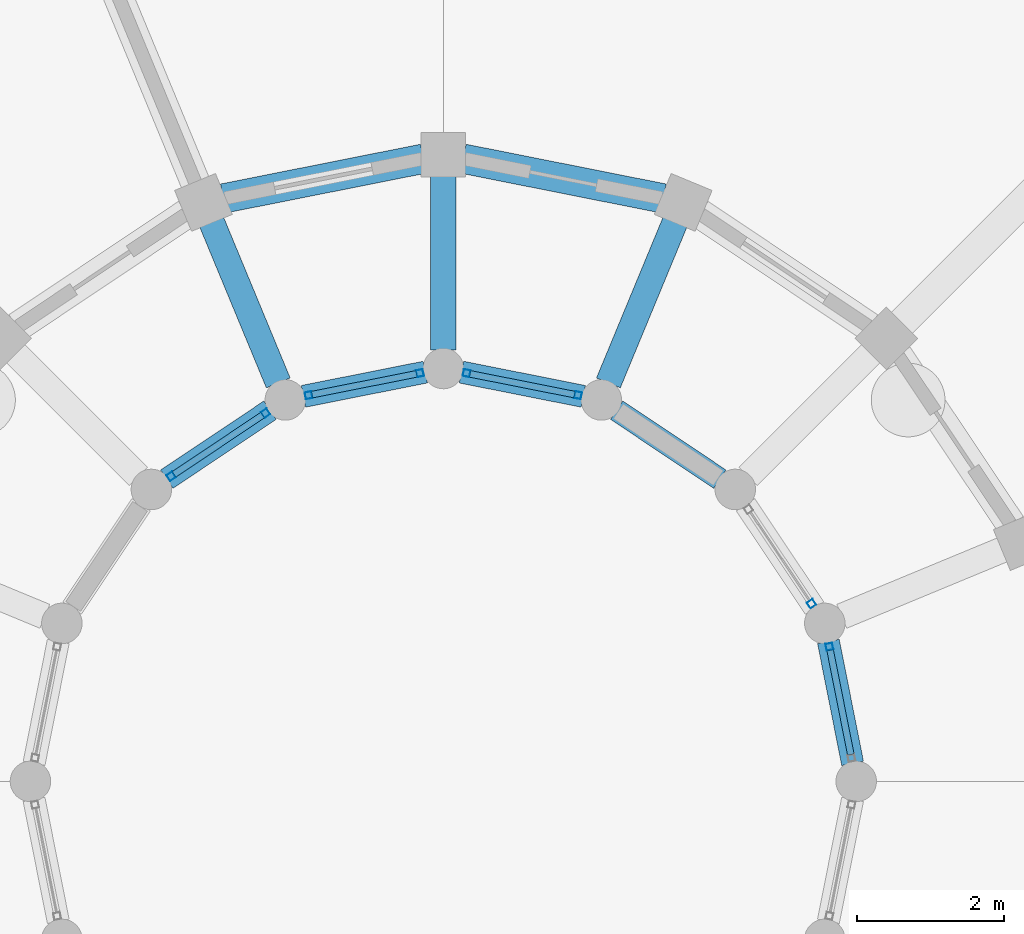
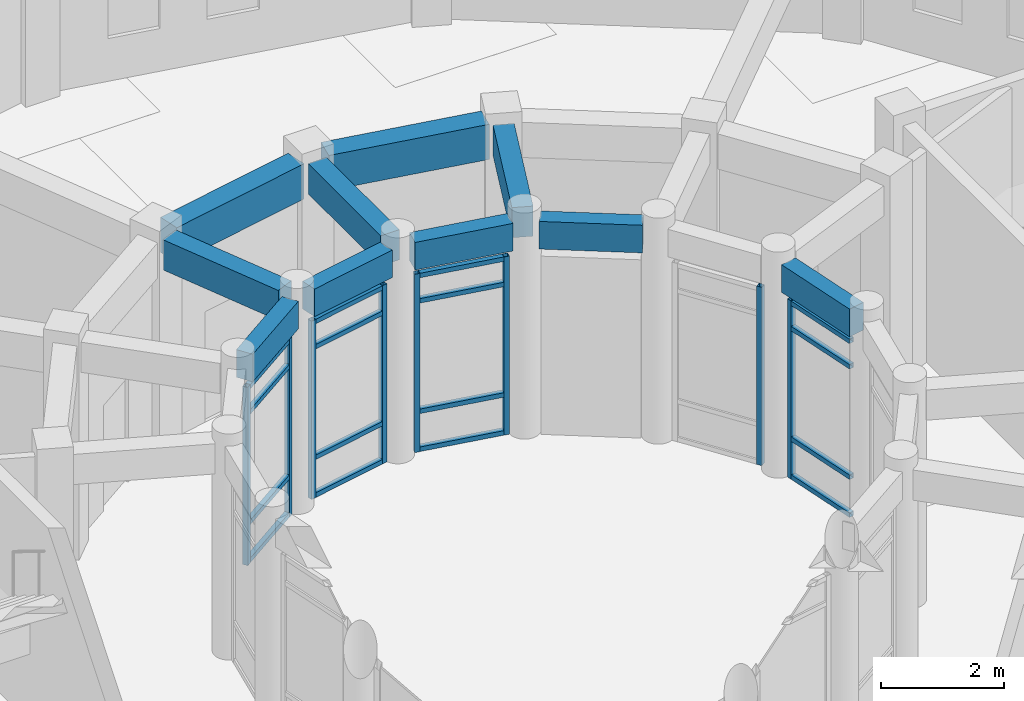
# One storey, part 74 of 153: 24 members, 10 beams, 5 elements without a shape of their own.
"""IFC4 building model written with IfcOpenShell, lengths in metres."""

from ifc_helpers import new_model, si_unit, direction, frame, origin, origin_2d, place, context, subcontext, project, spatial, rectangle, hollow_rectangle, extrude, material, material_profile, profile_set, type_object, element, aggregate, save


model = new_model("IFC4")

# Units and contexts
model_context = context("Model", 3, precision=1e-05, world=origin(), true_north=direction((0.0, 1.0)))
body_context = subcontext(model_context, "Body", "Model", "MODEL_VIEW")
ifc_project = project(units=[si_unit("LENGTHUNIT", "METRE"), si_unit("AREAUNIT", "SQUARE_METRE"), si_unit("VOLUMEUNIT", "CUBIC_METRE"), si_unit("PLANEANGLEUNIT", "RADIAN"), si_unit("MASSUNIT", "GRAM", prefix="KILO")], contexts=[model_context])

# Site, building, storey
site_placement = place(None, origin())
site = spatial("IfcSite", under=ifc_project, at=site_placement, CompositionType="ELEMENT")
building_placement = place(site_placement, origin())
building = spatial("IfcBuilding", under=site, at=building_placement, Name="Celadon Cloister-Ring School", CompositionType="ELEMENT")
storey_placement = place(building_placement, origin())
storey = spatial("IfcBuildingStorey", under=building, at=storey_placement, Name="L00", CompositionType="ELEMENT", Elevation=0.0)

# Beams
ifc_material_1 = material(Name="Concrete C35/45", Category="concrete")
ifc_material_profile_1 = material_profile(ifc_material_1, rectangle(XDim=0.35009765625, YDim=0.60009765625, at=origin_2d()), Name="RC350X600")
ifc_profile_set_1 = profile_set([ifc_material_profile_1], Name="Concrete C35/45")
beam_type_1 = type_object("IfcBeamType", Name="BT-02", PredefinedType="BEAM", material=ifc_profile_set_1)
for number, where, z_axis, x_axis, name in (
    (1, (23.347900390625, 104.59912109375, 3.9599609375), (-0.382724033014, -0.923862714127, 0.0), (0.923862714127, -0.382724033014, 0.0), "Beam 0594"),
    (2, (20.199951171875, 105.22509765625, 3.9599609375), (0.0, -1.0, 0.0), (1.0, 0.0, 0.0), "Beam 0595"),
    (3, (17.052001953125, 104.59912109375, 3.9599609375), (0.382724033014, -0.923862714127, 0.0), (0.923862714127, 0.382724033014, 0.0), "Beam 0597"),
):
    element("IfcBeam", number, at=place(storey_placement, frame(where, z_axis=z_axis, x_axis=x_axis)), inside=storey, type_object=beam_type_1, Name=name, PredefinedType="BEAM", context=body_context, shape_type="SweptSolid", body=[
        extrude(rectangle(XDim=0.35009765625, YDim=0.60009765625, at=origin_2d()), origin(), (0.0, 0.0, 1.0), 2.375),
    ])

# Curtain wall, member
ifc_material_2 = material(Name="Aluminium EN AW-6063 T6", Category="aluminium")
curtain_wall_type = type_object("IfcCurtainWallType", Name="CW-03", PredefinedType="USERDEFINED", material=ifc_material_2)
curtain_wall_1_placement = place(storey_placement, origin())
curtain_wall_1 = element("IfcCurtainWall", 4, at=curtain_wall_1_placement, inside=storey, type_object=curtain_wall_type, Name="Curtain Wall 0079", ObjectType="CURTAIN WALL", PredefinedType="USERDEFINED")
ifc_material_3 = material(Name="Aluminium EN AW-6063 T6", Category="aluminium")
ifc_material_profile_2 = material_profile(ifc_material_3, hollow_rectangle(XDim=0.094970703125, YDim=0.094970703125, WallThickness=0.00390625, at=origin_2d()), Name="RHS95X95X4")
ifc_profile_set_2 = profile_set([ifc_material_profile_2], Name="Aluminium EN AW-6063 T6")
member_type_1 = type_object("IfcMemberType", Name="CM-02", PredefinedType="MULLION", material=ifc_profile_set_2)
member_1_placement = place(storey_placement, frame((25.437255859375, 98.826416015625, 0.0), z_axis=(0.0, 0.0, 1.0), x_axis=(-0.980885435464, -0.194586131301, 0.0)))
member_1 = element("IfcMember", 5, at=member_1_placement, type_object=member_type_1, Name="CW-03 mullion 2", PredefinedType="MULLION", context=body_context, shape_type="SweptSolid", body=[
    extrude(hollow_rectangle(XDim=0.094970703125, YDim=0.094970703125, WallThickness=0.00390625, at=origin_2d()), origin(), (0.0, 0.0, 1.0), 3.550048828125),
])

curtain_wall_2_placement = place(storey_placement, origin())
curtain_wall_2 = element("IfcCurtainWall", 6, at=curtain_wall_2_placement, inside=storey, type_object=curtain_wall_type, Name="Curtain Wall 0080", ObjectType="CURTAIN WALL", PredefinedType="USERDEFINED")
member_2_placement = place(storey_placement, frame((25.194580078125, 99.411376953125, 0.0), z_axis=(0.0, 0.0, 1.0), x_axis=(-0.831485091394, -0.555547066224, 0.0)))
member_2 = element("IfcMember", 7, at=member_2_placement, type_object=member_type_1, Name="CW-03 mullion 1", PredefinedType="MULLION", context=body_context, shape_type="SweptSolid", body=[
    extrude(hollow_rectangle(XDim=0.094970703125, YDim=0.094970703125, WallThickness=0.00390625, at=origin_2d()), origin(), (0.0, 0.0, 1.0), 3.550048828125),
])
aggregate(curtain_wall_2, [member_2])

# Curtain wall, members
curtain_wall_3_placement = place(storey_placement, origin())
curtain_wall_3 = element("IfcCurtainWall", 8, at=curtain_wall_3_placement, inside=storey, type_object=curtain_wall_type, Name="Curtain Wall 0081", ObjectType="CURTAIN WALL", PredefinedType="USERDEFINED")
member_3_placement = place(storey_placement, frame((22.0263671875, 102.2373046875, 0.0), z_axis=(0.0, 0.0, 1.0), x_axis=(-0.194586131301, -0.980885435464, 0.0)))
member_3 = element("IfcMember", 9, at=member_3_placement, type_object=member_type_1, Name="CW-03 mullion 1", PredefinedType="MULLION", context=body_context, shape_type="SweptSolid", body=[
    extrude(hollow_rectangle(XDim=0.094970703125, YDim=0.094970703125, WallThickness=0.00390625, at=origin_2d()), origin(), (0.0, 0.0, 1.0), 3.550048828125),
])
member_4_placement = place(storey_placement, frame((20.5166015625, 102.536865234375, 0.0), z_axis=(0.0, 0.0, 1.0), x_axis=(-0.194586131301, -0.980885435464, 0.0)))
member_4 = element("IfcMember", 10, at=member_4_placement, type_object=member_type_1, Name="CW-03 mullion 2", PredefinedType="MULLION", context=body_context, shape_type="SweptSolid", body=[
    extrude(hollow_rectangle(XDim=0.094970703125, YDim=0.094970703125, WallThickness=0.00390625, at=origin_2d()), origin(), (0.0, 0.0, 1.0), 3.550048828125),
])

curtain_wall_4_placement = place(storey_placement, origin())
curtain_wall_4 = element("IfcCurtainWall", 11, at=curtain_wall_4_placement, inside=storey, type_object=curtain_wall_type, Name="Curtain Wall 0082", ObjectType="CURTAIN WALL", PredefinedType="USERDEFINED")
member_5_placement = place(storey_placement, frame((19.88330078125, 102.536865234375, 0.0), z_axis=(0.0, 0.0, 1.0), x_axis=(0.194586131301, -0.980885435464, 0.0)))
member_5 = element("IfcMember", 12, at=member_5_placement, type_object=member_type_1, Name="CW-03 mullion 1", PredefinedType="MULLION", context=body_context, shape_type="SweptSolid", body=[
    extrude(hollow_rectangle(XDim=0.094970703125, YDim=0.094970703125, WallThickness=0.00390625, at=origin_2d()), origin(), (0.0, 0.0, 1.0), 3.550048828125),
])
member_6_placement = place(storey_placement, frame((18.37353515625, 102.2373046875, 0.0), z_axis=(0.0, 0.0, 1.0), x_axis=(0.194586131301, -0.980885435464, 0.0)))
member_6 = element("IfcMember", 13, at=member_6_placement, type_object=member_type_1, Name="CW-03 mullion 2", PredefinedType="MULLION", context=body_context, shape_type="SweptSolid", body=[
    extrude(hollow_rectangle(XDim=0.094970703125, YDim=0.094970703125, WallThickness=0.00390625, at=origin_2d()), origin(), (0.0, 0.0, 1.0), 3.550048828125),
])

curtain_wall_5_placement = place(storey_placement, origin())
curtain_wall_5 = element("IfcCurtainWall", 14, at=curtain_wall_5_placement, inside=storey, type_object=curtain_wall_type, Name="Curtain Wall 0083", ObjectType="CURTAIN WALL", PredefinedType="USERDEFINED")
member_7_placement = place(storey_placement, frame((17.78857421875, 101.99462890625, 0.0), z_axis=(0.0, 0.0, 1.0), x_axis=(0.555547066224, -0.831485091394, 0.0)))
member_7 = element("IfcMember", 15, at=member_7_placement, type_object=member_type_1, Name="CW-03 mullion 1", PredefinedType="MULLION", context=body_context, shape_type="SweptSolid", body=[
    extrude(hollow_rectangle(XDim=0.094970703125, YDim=0.094970703125, WallThickness=0.00390625, at=origin_2d()), origin(), (0.0, 0.0, 1.0), 3.550048828125),
])
member_8_placement = place(storey_placement, frame((16.508544921875, 101.139404296875, 0.0), z_axis=(0.0, 0.0, 1.0), x_axis=(0.555547066224, -0.831485091394, 0.0)))
member_8 = element("IfcMember", 16, at=member_8_placement, type_object=member_type_1, Name="CW-03 mullion 2", PredefinedType="MULLION", context=body_context, shape_type="SweptSolid", body=[
    extrude(hollow_rectangle(XDim=0.094970703125, YDim=0.094970703125, WallThickness=0.00390625, at=origin_2d()), origin(), (0.0, 0.0, 1.0), 3.550048828125),
])

# Member
ifc_material_4 = material(Name="Aluminium EN AW-6063 T6", Category="aluminium")
ifc_material_profile_3 = material_profile(ifc_material_4, hollow_rectangle(XDim=0.090087890625, YDim=0.090087890625, WallThickness=0.00390625, at=origin_2d()), Name="RHS90X90X4")
ifc_profile_set_3 = profile_set([ifc_material_profile_3], Name="Aluminium EN AW-6063 T6")
member_type_2 = type_object("IfcMemberType", Name="CTM-02", PredefinedType="USERDEFINED", material=ifc_profile_set_3)
member_9_placement = place(storey_placement, frame((25.7275390625, 97.36328125, 0.044921875), z_axis=(-0.194587856315, 0.980885093257, 0.0), x_axis=(-0.980885093257, -0.194587856315, 0.0)))
member_9 = element("IfcMember", 17, at=member_9_placement, type_object=member_type_2, Name="CW-03 transom 1.1", ObjectType="TRANSOM", PredefinedType="USERDEFINED", context=body_context, shape_type="SweptSolid", body=[
    extrude(hollow_rectangle(XDim=0.090087890625, YDim=0.090087890625, WallThickness=0.00390625, at=origin_2d()), origin(), (0.0, 0.0, 1.0), 1.444091796875),
])

member_10_placement = place(storey_placement, frame((25.7275390625, 97.36328125, 0.800048828125), z_axis=(-0.194587856315, 0.980885093257, 0.0), x_axis=(-0.980885093257, -0.194587856315, 0.0)))
member_10 = element("IfcMember", 18, at=member_10_placement, type_object=member_type_2, Name="CW-03 transom 1.2", ObjectType="TRANSOM", PredefinedType="USERDEFINED", context=body_context, shape_type="SweptSolid", body=[
    extrude(hollow_rectangle(XDim=0.090087890625, YDim=0.090087890625, WallThickness=0.00390625, at=origin_2d()), origin(), (0.0, 0.0, 1.0), 1.444091796875),
])

member_11_placement = place(storey_placement, frame((25.7275390625, 97.36328125, 3.0), z_axis=(-0.194587856315, 0.980885093257, 0.0), x_axis=(-0.980885093257, -0.194587856315, 0.0)))
member_11 = element("IfcMember", 19, at=member_11_placement, type_object=member_type_2, Name="CW-03 transom 1.3", ObjectType="TRANSOM", PredefinedType="USERDEFINED", context=body_context, shape_type="SweptSolid", body=[
    extrude(hollow_rectangle(XDim=0.090087890625, YDim=0.090087890625, WallThickness=0.00390625, at=origin_2d()), origin(), (0.0, 0.0, 1.0), 1.444091796875),
])

member_12_placement = place(storey_placement, frame((25.7275390625, 97.36328125, 3.5048828125), z_axis=(-0.194587856315, 0.980885093257, 0.0), x_axis=(-0.980885093257, -0.194587856315, 0.0)))
member_12 = element("IfcMember", 20, at=member_12_placement, type_object=member_type_2, Name="CW-03 transom 1.4", ObjectType="TRANSOM", PredefinedType="USERDEFINED", context=body_context, shape_type="SweptSolid", body=[
    extrude(hollow_rectangle(XDim=0.090087890625, YDim=0.090087890625, WallThickness=0.00390625, at=origin_2d()), origin(), (0.0, 0.0, 1.0), 1.444091796875),
])

aggregate(curtain_wall_1, [member_1, member_9, member_10, member_11, member_12])

member_13_placement = place(storey_placement, frame((21.979736328125, 102.24658203125, 0.044921875), z_axis=(-0.980885093257, 0.194587856315, 0.0), x_axis=(-0.194587856315, -0.980885093257, 0.0)))
member_13 = element("IfcMember", 21, at=member_13_placement, type_object=member_type_2, Name="CW-03 transom 1.1", ObjectType="TRANSOM", PredefinedType="USERDEFINED", context=body_context, shape_type="SweptSolid", body=[
    extrude(hollow_rectangle(XDim=0.090087890625, YDim=0.090087890625, WallThickness=0.00390625, at=origin_2d()), origin(), (0.0, 0.0, 1.0), 1.444091796875),
])

member_14_placement = place(storey_placement, frame((21.979736328125, 102.24658203125, 0.800048828125), z_axis=(-0.980885093257, 0.194587856315, 0.0), x_axis=(-0.194587856315, -0.980885093257, 0.0)))
member_14 = element("IfcMember", 22, at=member_14_placement, type_object=member_type_2, Name="CW-03 transom 1.2", ObjectType="TRANSOM", PredefinedType="USERDEFINED", context=body_context, shape_type="SweptSolid", body=[
    extrude(hollow_rectangle(XDim=0.090087890625, YDim=0.090087890625, WallThickness=0.00390625, at=origin_2d()), origin(), (0.0, 0.0, 1.0), 1.444091796875),
])

member_15_placement = place(storey_placement, frame((21.979736328125, 102.24658203125, 3.0), z_axis=(-0.980885093257, 0.194587856315, 0.0), x_axis=(-0.194587856315, -0.980885093257, 0.0)))
member_15 = element("IfcMember", 23, at=member_15_placement, type_object=member_type_2, Name="CW-03 transom 1.3", ObjectType="TRANSOM", PredefinedType="USERDEFINED", context=body_context, shape_type="SweptSolid", body=[
    extrude(hollow_rectangle(XDim=0.090087890625, YDim=0.090087890625, WallThickness=0.00390625, at=origin_2d()), origin(), (0.0, 0.0, 1.0), 1.444091796875),
])

member_16_placement = place(storey_placement, frame((21.979736328125, 102.24658203125, 3.5048828125), z_axis=(-0.980885093257, 0.194587856315, 0.0), x_axis=(-0.194587856315, -0.980885093257, 0.0)))
member_16 = element("IfcMember", 24, at=member_16_placement, type_object=member_type_2, Name="CW-03 transom 1.4", ObjectType="TRANSOM", PredefinedType="USERDEFINED", context=body_context, shape_type="SweptSolid", body=[
    extrude(hollow_rectangle(XDim=0.090087890625, YDim=0.090087890625, WallThickness=0.00390625, at=origin_2d()), origin(), (0.0, 0.0, 1.0), 1.444091796875),
])

aggregate(curtain_wall_3, [member_3, member_4, member_13, member_14, member_15, member_16])

member_17_placement = place(storey_placement, frame((19.8369140625, 102.527587890625, 0.044921875), z_axis=(-0.98089149302, -0.194555593394, 0.0), x_axis=(0.194555593394, -0.98089149302, 0.0)))
member_17 = element("IfcMember", 25, at=member_17_placement, type_object=member_type_2, Name="CW-03 transom 1.1", ObjectType="TRANSOM", PredefinedType="USERDEFINED", context=body_context, shape_type="SweptSolid", body=[
    extrude(hollow_rectangle(XDim=0.090087890625, YDim=0.090087890625, WallThickness=0.00390625, at=origin_2d()), origin(), (0.0, 0.0, 1.0), 1.4443359375),
])

member_18_placement = place(storey_placement, frame((19.8369140625, 102.527587890625, 0.800048828125), z_axis=(-0.98089149302, -0.194555593394, 0.0), x_axis=(0.194555593394, -0.98089149302, 0.0)))
member_18 = element("IfcMember", 26, at=member_18_placement, type_object=member_type_2, Name="CW-03 transom 1.2", ObjectType="TRANSOM", PredefinedType="USERDEFINED", context=body_context, shape_type="SweptSolid", body=[
    extrude(hollow_rectangle(XDim=0.090087890625, YDim=0.090087890625, WallThickness=0.00390625, at=origin_2d()), origin(), (0.0, 0.0, 1.0), 1.4443359375),
])

member_19_placement = place(storey_placement, frame((19.8369140625, 102.527587890625, 3.0), z_axis=(-0.98089149302, -0.194555593394, 0.0), x_axis=(0.194555593394, -0.98089149302, 0.0)))
member_19 = element("IfcMember", 27, at=member_19_placement, type_object=member_type_2, Name="CW-03 transom 1.3", ObjectType="TRANSOM", PredefinedType="USERDEFINED", context=body_context, shape_type="SweptSolid", body=[
    extrude(hollow_rectangle(XDim=0.090087890625, YDim=0.090087890625, WallThickness=0.00390625, at=origin_2d()), origin(), (0.0, 0.0, 1.0), 1.4443359375),
])

member_20_placement = place(storey_placement, frame((19.8369140625, 102.527587890625, 3.5048828125), z_axis=(-0.98089149302, -0.194555593394, 0.0), x_axis=(0.194555593394, -0.98089149302, 0.0)))
member_20 = element("IfcMember", 28, at=member_20_placement, type_object=member_type_2, Name="CW-03 transom 1.4", ObjectType="TRANSOM", PredefinedType="USERDEFINED", context=body_context, shape_type="SweptSolid", body=[
    extrude(hollow_rectangle(XDim=0.090087890625, YDim=0.090087890625, WallThickness=0.00390625, at=origin_2d()), origin(), (0.0, 0.0, 1.0), 1.4443359375),
])

aggregate(curtain_wall_4, [member_5, member_6, member_17, member_18, member_19, member_20])

member_21_placement = place(storey_placement, frame((17.7490234375, 101.96826171875, 0.044921875), z_axis=(-0.831451709445, -0.555597025604, 0.0), x_axis=(0.555597025604, -0.831451709445, 0.0)))
member_21 = element("IfcMember", 29, at=member_21_placement, type_object=member_type_2, Name="CW-03 transom 1.1", ObjectType="TRANSOM", PredefinedType="USERDEFINED", context=body_context, shape_type="SweptSolid", body=[
    extrude(hollow_rectangle(XDim=0.090087890625, YDim=0.090087890625, WallThickness=0.00390625, at=origin_2d()), origin(), (0.0, 0.0, 1.0), 1.4443359375),
])

member_22_placement = place(storey_placement, frame((17.7490234375, 101.96826171875, 0.800048828125), z_axis=(-0.831451709445, -0.555597025604, 0.0), x_axis=(0.555597025604, -0.831451709445, 0.0)))
member_22 = element("IfcMember", 30, at=member_22_placement, type_object=member_type_2, Name="CW-03 transom 1.2", ObjectType="TRANSOM", PredefinedType="USERDEFINED", context=body_context, shape_type="SweptSolid", body=[
    extrude(hollow_rectangle(XDim=0.090087890625, YDim=0.090087890625, WallThickness=0.00390625, at=origin_2d()), origin(), (0.0, 0.0, 1.0), 1.4443359375),
])

member_23_placement = place(storey_placement, frame((17.7490234375, 101.96826171875, 3.0), z_axis=(-0.831451709445, -0.555597025604, 0.0), x_axis=(0.555597025604, -0.831451709445, 0.0)))
member_23 = element("IfcMember", 31, at=member_23_placement, type_object=member_type_2, Name="CW-03 transom 1.3", ObjectType="TRANSOM", PredefinedType="USERDEFINED", context=body_context, shape_type="SweptSolid", body=[
    extrude(hollow_rectangle(XDim=0.090087890625, YDim=0.090087890625, WallThickness=0.00390625, at=origin_2d()), origin(), (0.0, 0.0, 1.0), 1.4443359375),
])

member_24_placement = place(storey_placement, frame((17.7490234375, 101.96826171875, 3.5048828125), z_axis=(-0.831451709445, -0.555597025604, 0.0), x_axis=(0.555597025604, -0.831451709445, 0.0)))
member_24 = element("IfcMember", 32, at=member_24_placement, type_object=member_type_2, Name="CW-03 transom 1.4", ObjectType="TRANSOM", PredefinedType="USERDEFINED", context=body_context, shape_type="SweptSolid", body=[
    extrude(hollow_rectangle(XDim=0.090087890625, YDim=0.090087890625, WallThickness=0.00390625, at=origin_2d()), origin(), (0.0, 0.0, 1.0), 1.4443359375),
])

aggregate(curtain_wall_5, [member_7, member_8, member_21, member_22, member_23, member_24])

# Beams
ifc_material_5 = material(Name="Concrete C35/45", Category="concrete")
ifc_material_profile_4 = material_profile(ifc_material_5, rectangle(XDim=0.39990234375, YDim=0.699951171875, at=origin_2d()), Name="RC400X700")
ifc_profile_set_4 = profile_set([ifc_material_profile_4], Name="Concrete C35/45")
beam_type_2 = type_object("IfcBeamType", Name="GT-03", PredefinedType="USERDEFINED", material=ifc_profile_set_4)
beam_1_placement = place(storey_placement, frame((23.18310546875, 104.906982421875, 3.909912109375), z_axis=(-0.980827698382, 0.194876951141, 0.0), x_axis=(-0.194876951141, -0.980827698382, 0.0)))
element("IfcBeam", 33, at=beam_1_placement, inside=storey, type_object=beam_type_2, Name="Beam 0622", ObjectType="GIRDER", PredefinedType="USERDEFINED", context=body_context, shape_type="SweptSolid", body=[
    extrude(rectangle(XDim=0.39990234375, YDim=0.699951171875, at=origin_2d()), origin(), (0.0, 0.0, 1.0), 2.76611328125),
])
beam_2_placement = place(storey_placement, frame((19.929931640625, 105.446044921875, 3.909912109375), z_axis=(-0.980824346114, -0.194893822554, 0.0), x_axis=(0.194893822554, -0.980824346114, 0.0)))
element("IfcBeam", 34, at=beam_2_placement, inside=storey, type_object=beam_type_2, Name="Beam 0625", ObjectType="GIRDER", PredefinedType="USERDEFINED", context=body_context, shape_type="SweptSolid", body=[
    extrude(rectangle(XDim=0.39990234375, YDim=0.699951171875, at=origin_2d()), origin(), (0.0, 0.0, 1.0), 2.765869140625),
])
ifc_material_6 = material(Name="Concrete C35/45", Category="concrete")
ifc_material_profile_5 = material_profile(ifc_material_6, rectangle(XDim=0.300048828125, YDim=0.550048828125, at=origin_2d()), Name="RC300X550")
ifc_profile_set_5 = profile_set([ifc_material_profile_5], Name="Concrete C35/45")
beam_type_3 = type_object("IfcBeamType", Name="SP-02", PredefinedType="SPANDREL", material=ifc_profile_set_5)
beam_3_placement = place(storey_placement, frame((25.7509765625, 97.2451171875, 3.985107421875), z_axis=(-0.194583435458, 0.980885970256, 0.0), x_axis=(-0.980885970256, -0.194583435458, 0.0)))
element("IfcBeam", 35, at=beam_3_placement, inside=storey, type_object=beam_type_3, Name="Beam 0614", PredefinedType="SPANDREL", context=body_context, shape_type="SweptSolid", body=[
    extrude(rectangle(XDim=0.300048828125, YDim=0.550048828125, at=origin_2d()), origin(), (0.0, 0.0, 1.0), 1.68505859375),
])
beam_4_placement = place(storey_placement, frame((23.951904296875, 101.09912109375, 3.985107421875), z_axis=(-0.831537153477, 0.555469137204, 0.0), x_axis=(-0.555469137204, -0.831537153477, 0.0)))
element("IfcBeam", 36, at=beam_4_placement, inside=storey, type_object=beam_type_3, Name="Beam 0620", PredefinedType="SPANDREL", context=body_context, shape_type="SweptSolid", body=[
    extrude(rectangle(XDim=0.300048828125, YDim=0.550048828125, at=origin_2d()), origin(), (0.0, 0.0, 1.0), 1.6845703125),
])
beam_5_placement = place(storey_placement, frame((22.097900390625, 102.222900390625, 3.985107421875), z_axis=(-0.980858307367, 0.194722830887, 0.0), x_axis=(-0.194722830887, -0.980858307367, 0.0)))
element("IfcBeam", 37, at=beam_5_placement, inside=storey, type_object=beam_type_3, Name="Beam 0623", PredefinedType="SPANDREL", context=body_context, shape_type="SweptSolid", body=[
    extrude(rectangle(XDim=0.300048828125, YDim=0.550048828125, at=origin_2d()), origin(), (0.0, 0.0, 1.0), 1.68505859375),
])
beam_6_placement = place(storey_placement, frame((19.955078125, 102.551025390625, 3.985107421875), z_axis=(-0.980863799725, -0.194695162728, 0.0), x_axis=(0.194695162728, -0.980863799725, 0.0)))
element("IfcBeam", 38, at=beam_6_placement, inside=storey, type_object=beam_type_3, Name="Beam 0626", PredefinedType="SPANDREL", context=body_context, shape_type="SweptSolid", body=[
    extrude(rectangle(XDim=0.300048828125, YDim=0.550048828125, at=origin_2d()), origin(), (0.0, 0.0, 1.0), 1.685302734375),
])
beam_7_placement = place(storey_placement, frame((17.84912109375, 102.034912109375, 3.985107421875), z_axis=(-0.831581859135, -0.555402207016, 0.0), x_axis=(0.555402207016, -0.831581859135, 0.0)))
element("IfcBeam", 39, at=beam_7_placement, inside=storey, type_object=beam_type_3, Name="Beam 0629", PredefinedType="SPANDREL", context=body_context, shape_type="SweptSolid", body=[
    extrude(rectangle(XDim=0.300048828125, YDim=0.550048828125, at=origin_2d()), origin(), (0.0, 0.0, 1.0), 1.684814453125),
])

save(model, "model.ifc")
